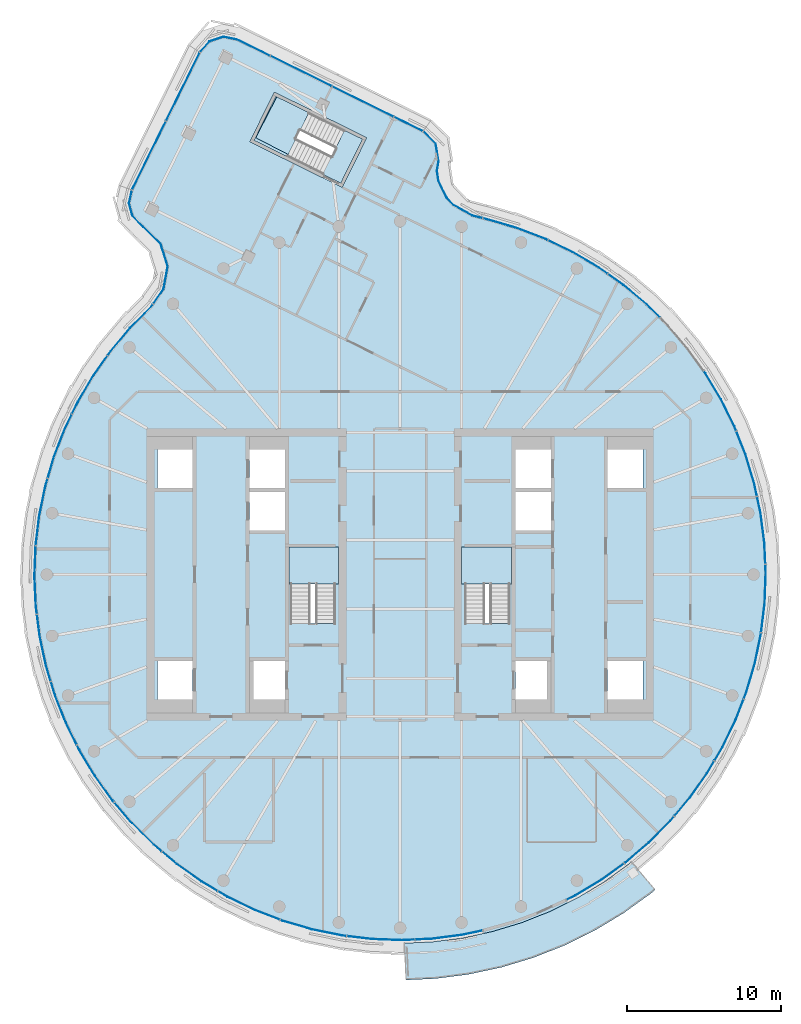
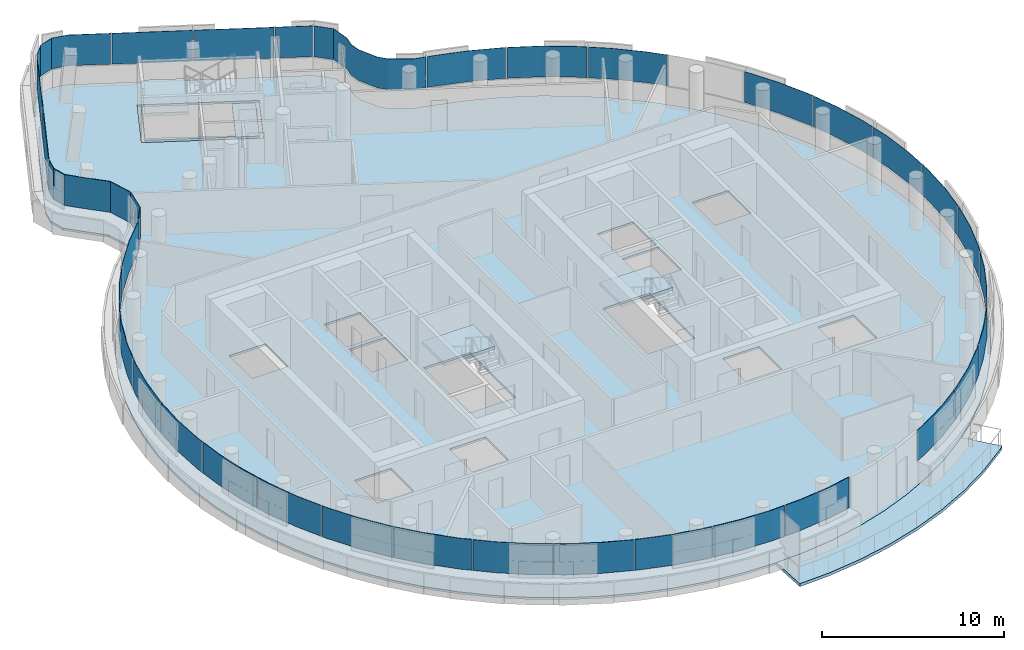
# One storey, part 12 of 21: 34 plates, 6 slabs, 6 elements without a shape of their own.
"""IFC4 building model written with IfcOpenShell, lengths in metres."""

from ifc_helpers import new_model, si_unit, direction, frame, origin, place, context, subcontext, project, spatial, polyline, outline, extrude, material, layer, layer_set, type_object, element, aggregate, save


model = new_model("IFC4")

# Units and contexts
model_context = context("Model", 3, precision=1e-05, world=origin(), true_north=direction((0.0, 1.0)))
body_context = subcontext(model_context, "Body", "Model", "MODEL_VIEW")
ifc_project = project(units=[si_unit("LENGTHUNIT", "METRE"), si_unit("AREAUNIT", "SQUARE_METRE"), si_unit("VOLUMEUNIT", "CUBIC_METRE"), si_unit("PLANEANGLEUNIT", "RADIAN"), si_unit("MASSUNIT", "GRAM", prefix="KILO")], contexts=[model_context])

# Site, building, storey
site_placement = place(None, origin())
site = spatial("IfcSite", under=ifc_project, at=site_placement, CompositionType="ELEMENT")
building_placement = place(site_placement, origin())
building = spatial("IfcBuilding", under=site, at=building_placement, Name="Tamarind Cross Interchange Tower", CompositionType="ELEMENT")
storey_placement = place(building_placement, frame((0.0, 0.0, 264.0)))
storey = spatial("IfcBuildingStorey", under=building, at=storey_placement, Name="L67", CompositionType="ELEMENT", Elevation=264.0)

# Slabs
ifc_material_1 = material(Name="Precast concrete C40", Category="concrete")
ifc_layer_1 = layer(ifc_material_1, 0.199951171875)
ifc_layer_set_1 = layer_set([ifc_layer_1], Name="Precast concrete C40")
slab_type_1 = type_object("IfcSlabType", Name="Balcony slab", PredefinedType="BASESLAB", material=ifc_layer_set_1)
slab_1_placement = place(storey_placement, frame((0.0, 0.0, -0.199951171875)))
element("IfcSlab", 1, at=slab_1_placement, inside=storey, type_object=slab_type_1, Name="SLB-L67-BAL01", PredefinedType="BASESLAB", context=body_context, shape_type="SweptSolid", body=[
    extrude(outline(polyline([(0.281982421875, -23.987548828125), (2.08447265625, -23.9052734375), (4.051513671875, -23.6513671875), (5.99072265625, -23.236083984375), (7.88916015625, -22.662109375), (9.733642578125, -21.93310546875), (11.511474609375, -21.054443359375), (13.2109375, -20.031982421875), (14.820068359375, -18.87255859375), (15.03076171875, -18.6923828125), (16.58984375, -20.51708984375), (16.303466796875, -20.76171875), (14.533203125, -22.037109375), (12.663818359375, -23.162109375), (10.7080078125, -24.128662109375), (8.6787109375, -24.9306640625), (6.59033203125, -25.56201171875), (4.45703125, -26.01904296875), (2.293212890625, -26.298095703125), (0.391357421875, -26.385009765625), (0.281982421875, -23.987548828125)])), origin(), (0.0, 0.0, 1.0), 0.199951171875),
])
ifc_material_2 = material(Name="Concrete C35", Category="concrete")
ifc_layer_2 = layer(ifc_material_2, 0.139892578125)
ifc_layer_set_2 = layer_set([ifc_layer_2], Name="Concrete C35")
slab_type_2 = type_object("IfcSlabType", Name="Composite slab 140 Concrete C35", PredefinedType="FLOOR", material=ifc_layer_set_2)
slab_2_placement = place(storey_placement, frame((0.0, 0.0, -0.139892578125)))
element("IfcSlab", 2, at=slab_2_placement, inside=storey, type_object=slab_type_2, Name="Floor slab L67", PredefinedType="FLOOR", context=body_context, shape_type="SweptSolid", body=[
    extrude(outline(polyline([(2.5009765625, 28.138916015625), (1.611083984375, 29.010986328125), (-10.525390625, 35.00048828125), (-11.540771484375, 35.202880859375), (-12.521240234375, 34.870361328125), (-13.2041015625, 34.09228515625), (-17.643310546875, 25.096923828125), (-17.849365234375, 24.162353515625), (-17.597412109375, 23.239013671875), (-16.857666015625, 22.48095703125), (-15.758056640625, 21.40478515625), (-15.332763671875, 20.0537109375), (-15.5859375, 18.659912109375), (-16.352294921875, 17.559814453125), (-17.72412109375, 16.17578125), (-18.99951171875, 14.656982421875), (-20.14501953125, 13.0380859375), (-21.15283203125, 11.329833984375), (-22.01611328125, 9.54443359375), (-22.72900390625, 7.693603515625), (-23.286865234375, 5.79052734375), (-23.685546875, 3.84765625), (-23.92236328125, 1.878662109375), (-23.99560546875, -0.103271484375), (-23.9052734375, -2.08447265625), (-23.651611328125, -4.051513671875), (-23.236083984375, -5.99072265625), (-22.662109375, -7.88916015625), (-21.93310546875, -9.7333984375), (-21.054443359375, -11.511474609375), (-20.031982421875, -13.2109375), (-18.87255859375, -14.820068359375), (-17.584228515625, -16.327880859375), (-16.17578125, -17.72412109375), (-14.656982421875, -18.99951171875), (-13.0380859375, -20.14501953125), (-11.329833984375, -21.15283203125), (-9.54443359375, -22.01611328125), (-7.693603515625, -22.72900390625), (-5.79052734375, -23.286865234375), (-3.84765625, -23.685546875), (-1.878662109375, -23.92236328125), (0.103271484375, -23.99560546875), (2.08447265625, -23.9052734375), (4.051513671875, -23.651611328125), (5.99072265625, -23.236083984375), (7.88916015625, -22.662109375), (9.7333984375, -21.93310546875), (11.511474609375, -21.054443359375), (13.2109375, -20.031982421875), (14.820068359375, -18.87255859375), (16.327880859375, -17.584228515625), (17.72412109375, -16.17578125), (18.99951171875, -14.656982421875), (20.14501953125, -13.0380859375), (21.15283203125, -11.329833984375), (22.01611328125, -9.54443359375), (22.72900390625, -7.693603515625), (23.286865234375, -5.79052734375), (23.685546875, -3.84765625), (23.92236328125, -1.878662109375), (23.99560546875, 0.103271484375), (23.9052734375, 2.08447265625), (23.651611328125, 4.051513671875), (23.236083984375, 5.99072265625), (22.662109375, 7.88916015625), (21.93310546875, 9.7333984375), (21.054443359375, 11.511474609375), (20.031982421875, 13.2109375), (18.87255859375, 14.820068359375), (17.584228515625, 16.327880859375), (16.17578125, 17.72412109375), (14.656982421875, 18.99951171875), (13.0380859375, 20.14501953125), (11.329833984375, 21.15283203125), (9.54443359375, 22.01611328125), (7.693603515625, 22.72900390625), (5.79052734375, 23.286865234375), (4.772705078125, 23.546630859375), (3.606689453125, 24.19970703125), (3.205810546875, 24.62451171875), (2.688232421875, 25.687744140625), (2.6015625, 26.265380859375), (2.701904296875, 26.909423828125), (2.5009765625, 28.138916015625)]), holes=[polyline([(-13.5, -5.625), (-13.5, -8.125), (-15.800048828125, -8.125), (-15.800048828125, -5.625), (-13.5, -5.625)]), polyline([(-7.5, -5.625), (-7.5, -8.125), (-9.800048828125, -8.125), (-9.800048828125, -5.625), (-7.5, -5.625)]), polyline([(-7.14990234375, 1.800048828125), (-4.199951171875, 1.800048828125), (-4.199951171875, -3.18798828125), (-7.14990234375, -3.18798828125), (-7.14990234375, 1.800048828125)]), polyline([(-7.5, 5.375), (-7.5, 2.875), (-9.800048828125, 2.875), (-9.800048828125, 5.375), (-7.5, 5.375)]), polyline([(-13.5, 8.125), (-13.5, 5.625), (-15.800048828125, 5.625), (-15.800048828125, 8.125), (-13.5, 8.125)]), polyline([(-7.5, 8.125), (-7.5, 5.625), (-9.800048828125, 5.625), (-9.800048828125, 8.125), (-7.5, 8.125)]), polyline([(-7.67236328125, 31.13916015625), (-2.18017578125, 28.4287109375), (-2.2685546875, 28.249267578125), (-3.684814453125, 25.379638671875), (-3.773193359375, 25.200439453125), (-9.781494140625, 28.16552734375), (-9.69287109375, 28.344970703125), (-8.276611328125, 31.21435546875), (-8.188232421875, 31.393798828125), (-7.93212890625, 31.267333984375), (-7.9296875, 31.27197265625), (-7.67236328125, 31.13916015625)]), polyline([(7.5, -8.125), (7.5, -5.625), (9.800048828125, -5.625), (9.800048828125, -8.125), (7.5, -8.125)]), polyline([(13.5, -8.125), (13.5, -5.625), (15.800048828125, -5.625), (15.800048828125, -8.125), (13.5, -8.125)]), polyline([(4.199951171875, 1.800048828125), (7.14990234375, 1.800048828125), (7.14990234375, -3.18798828125), (4.199951171875, -3.18798828125), (4.199951171875, 1.800048828125)]), polyline([(7.5, 2.875), (7.5, 5.375), (9.800048828125, 5.375), (9.800048828125, 2.875), (7.5, 2.875)]), polyline([(7.5, 5.625), (7.5, 8.125), (9.800048828125, 8.125), (9.800048828125, 5.625), (7.5, 5.625)]), polyline([(13.5, 5.625), (13.5, 8.125), (15.800048828125, 8.125), (15.800048828125, 5.625), (13.5, 5.625)])]), origin(), (0.0, 0.0, 1.0), 0.139892578125),
])
slab_3_placement = place(storey_placement, frame((0.0, 0.0, -0.139892578125)))
element("IfcSlab", 3, at=slab_3_placement, inside=storey, type_object=slab_type_2, Name="Floor slab L67", PredefinedType="FLOOR", context=body_context, shape_type="SweptSolid", body=[
    extrude(outline(polyline([(-3.864013671875, 25.46826171875), (-2.447998046875, 28.337890625), (-3.55029296875, 28.8818359375), (-3.62451171875, 28.91845703125), (-4.989501953125, 26.15234375), (-9.39794921875, 28.4287109375), (-8.02392578125, 31.089599609375), (-8.097412109375, 31.1259765625), (-9.513671875, 28.25634765625), (-3.864013671875, 25.46826171875)])), origin(), (0.0, 0.0, 1.0), 0.139892578125),
])

# Stair, slab
ifc_material_3 = material(Name="Exit stair")
stair_type = type_object("IfcStairType", Name="Exit stair", PredefinedType="HALF_TURN_STAIR", material=ifc_material_3)
stair_1_placement = place(storey_placement, origin())
stair_1 = element("IfcStair", 4, at=stair_1_placement, inside=storey, type_object=stair_type, Name="L67 exit stair ST1", PredefinedType="HALF_TURN_STAIR")
ifc_material_4 = material(Name="Concrete C40", Category="concrete")
ifc_layer_3 = layer(ifc_material_4, 0.199951171875)
ifc_layer_set_3 = layer_set([ifc_layer_3], Name="Concrete C40")
slab_type_3 = type_object("IfcSlabType", Name="Stair landing", PredefinedType="LANDING", material=ifc_layer_set_3)
slab_4_placement = place(storey_placement, frame((0.0, 0.0, 1.60009765625)))
slab_4 = element("IfcSlab", 5, at=slab_4_placement, type_object=slab_type_3, Name="ST1 landing 1", PredefinedType="LANDING", context=body_context, shape_type="SweptSolid", body=[
    extrude(outline(polyline([(-4.0, -0.60009765625), (-4.0, 1.800048828125), (-7.25, 1.800048828125), (-7.25, -0.60009765625), (-4.0, -0.60009765625)])), origin(), (0.0, 0.0, 1.0), 0.199951171875),
])
aggregate(stair_1, [slab_4])

stair_2_placement = place(storey_placement, origin())
stair_2 = element("IfcStair", 6, at=stair_2_placement, inside=storey, type_object=stair_type, Name="L67 exit stair ST2", PredefinedType="HALF_TURN_STAIR")
slab_5_placement = place(storey_placement, frame((0.0, 0.0, 1.60009765625)))
slab_5 = element("IfcSlab", 7, at=slab_5_placement, type_object=slab_type_3, Name="ST2 landing 1", PredefinedType="LANDING", context=body_context, shape_type="SweptSolid", body=[
    extrude(outline(polyline([(7.25, -0.60009765625), (7.25, 1.800048828125), (4.0, 1.800048828125), (4.0, -0.60009765625), (7.25, -0.60009765625)])), origin(), (0.0, 0.0, 1.0), 0.199951171875),
])
aggregate(stair_2, [slab_5])

stair_3_placement = place(storey_placement, origin())
stair_3 = element("IfcStair", 8, at=stair_3_placement, inside=storey, type_object=stair_type, Name="L67 exit stair ST4", PredefinedType="HALF_TURN_STAIR")
slab_6_placement = place(storey_placement, frame((0.0, 0.0, 1.60009765625)))
slab_6 = element("IfcSlab", 9, at=slab_6_placement, type_object=slab_type_3, Name="ST4 landing 1", PredefinedType="LANDING", context=body_context, shape_type="SweptSolid", body=[
    extrude(outline(polyline([(-5.9345703125, 30.058349609375), (-8.097412109375, 31.1259765625), (-9.513671875, 28.25634765625), (-7.3505859375, 27.18896484375), (-5.9345703125, 30.058349609375)])), origin(), (0.0, 0.0, 1.0), 0.199951171875),
])
aggregate(stair_3, [slab_6])

# Curtain wall, plates
ifc_material_5 = material(Name="Aluminium 6063-T6", Category="aluminium")
ifc_layer_4 = layer(ifc_material_5, 0.139892578125)
ifc_layer_set_4 = layer_set([ifc_layer_4], Name="Aluminium 6063-T6")
curtain_wall_type = type_object("IfcCurtainWallType", Name="Hotel curtain wall, 4.5 m bays", PredefinedType="NOTDEFINED", material=ifc_layer_set_4)
curtain_wall_1_placement = place(storey_placement, origin())
curtain_wall_1 = element("IfcCurtainWall", 10, at=curtain_wall_1_placement, inside=storey, type_object=curtain_wall_type, Name="CWS-L67-00", PredefinedType="NOTDEFINED")
ifc_material_6 = material(Name="Laminated low-e glass 6+1.52+6", Category="glass")
ifc_layer_5 = layer(ifc_material_6, 0.02392578125)
ifc_layer_set_5 = layer_set([ifc_layer_5], Name="Laminated low-e glass 6+1.52+6")
plate_type = type_object("IfcPlateType", Name="Vision panel CW2", PredefinedType="CURTAIN_PANEL", material=ifc_layer_set_5)
plate_1_placement = place(storey_placement, frame((0.0, 0.0, 1.39990234375)))
plate_1 = element("IfcPlate", 11, at=plate_1_placement, type_object=plate_type, Name="CWP-L67-00-00", PredefinedType="CURTAIN_PANEL", context=body_context, shape_type="SweptSolid", body=[
    extrude(outline(polyline([(-13.038818359375, 33.94775390625), (-15.220703125, 29.526611328125), (-15.2421875, 29.537353515625), (-13.060302734375, 33.95849609375), (-13.038818359375, 33.94775390625)])), origin(), (0.0, 0.0, 1.0), 2.06005859375),
])
plate_2_placement = place(storey_placement, frame((0.0, 0.0, 1.39990234375)))
plate_2 = element("IfcPlate", 12, at=plate_2_placement, type_object=plate_type, Name="CWP-L67-00-01", PredefinedType="CURTAIN_PANEL", context=body_context, shape_type="SweptSolid", body=[
    extrude(outline(polyline([(-15.247314453125, 29.472900390625), (-17.42919921875, 25.0517578125), (-17.45068359375, 25.062255859375), (-15.268798828125, 29.4833984375), (-15.247314453125, 29.472900390625)])), origin(), (0.0, 0.0, 1.0), 2.06005859375),
])
aggregate(curtain_wall_1, [plate_1, plate_2])

curtain_wall_2_placement = place(storey_placement, origin())
curtain_wall_2 = element("IfcCurtainWall", 13, at=curtain_wall_2_placement, inside=storey, type_object=curtain_wall_type, Name="CWS-L67-01", PredefinedType="NOTDEFINED")
plate_3_placement = place(storey_placement, frame((0.0, 0.0, 1.39990234375)))
plate_3 = element("IfcPlate", 14, at=plate_3_placement, type_object=plate_type, Name="CWP-L67-01-00", PredefinedType="CURTAIN_PANEL", context=body_context, shape_type="SweptSolid", body=[
    extrude(outline(polyline([(-17.447998046875, 24.998291015625), (-17.631103515625, 24.167724609375), (-17.4072265625, 23.34765625), (-16.70751953125, 22.630859375), (-15.57177734375, 21.519287109375), (-15.11474609375, 20.0673828125), (-15.3857421875, 18.576416015625), (-16.048583984375, 17.624755859375), (-16.068359375, 17.638427734375), (-15.408447265625, 18.5859375), (-15.139404296875, 20.065673828125), (-15.593017578125, 21.50634765625), (-16.724609375, 22.61376953125), (-17.4287109375, 23.33544921875), (-17.65576171875, 24.1669921875), (-17.471435546875, 25.00341796875), (-17.447998046875, 24.998291015625)])), origin(), (0.0, 0.0, 1.0), 2.06005859375),
])
plate_4_placement = place(storey_placement, frame((0.0, 0.0, 1.39990234375)))
plate_4 = element("IfcPlate", 15, at=plate_4_placement, type_object=plate_type, Name="CWP-L67-01-01", PredefinedType="CURTAIN_PANEL", context=body_context, shape_type="SweptSolid", body=[
    extrude(outline(polyline([(-16.0830078125, 17.575439453125), (-16.188720703125, 17.423828125), (-17.5673828125, 16.032958984375), (-18.83154296875, 14.52734375), (-19.022216796875, 14.257568359375), (-19.041748046875, 14.271484375), (-18.850341796875, 14.5419921875), (-17.585205078125, 16.049072265625), (-16.207275390625, 17.439208984375), (-16.102783203125, 17.589111328125), (-16.0830078125, 17.575439453125)])), origin(), (0.0, 0.0, 1.0), 2.06005859375),
])
plate_5_placement = place(storey_placement, frame((0.0, 0.0, 1.39990234375)))
plate_5 = element("IfcPlate", 16, at=plate_5_placement, type_object=plate_type, Name="CWP-L67-01-02", PredefinedType="CURTAIN_PANEL", context=body_context, shape_type="SweptSolid", body=[
    extrude(outline(polyline([(-19.056884765625, 14.208740234375), (-19.966796875, 12.922607421875), (-20.9658203125, 11.229736328125), (-21.341796875, 10.45166015625), (-21.363525390625, 10.462158203125), (-20.98681640625, 11.240966796875), (-19.987060546875, 12.935791015625), (-19.076416015625, 14.22265625), (-19.056884765625, 14.208740234375)])), origin(), (0.0, 0.0, 1.0), 2.06005859375),
])
plate_6_placement = place(storey_placement, frame((0.0, 0.0, 1.39990234375)))
plate_6 = element("IfcPlate", 17, at=plate_6_placement, type_object=plate_type, Name="CWP-L67-01-03", PredefinedType="CURTAIN_PANEL", context=body_context, shape_type="SweptSolid", body=[
    extrude(outline(polyline([(-21.367919921875, 10.397705078125), (-21.821533203125, 9.4599609375), (-22.528076171875, 7.625732421875), (-22.921142578125, 6.2841796875), (-22.9443359375, 6.291015625), (-22.55078125, 7.63330078125), (-21.843505859375, 9.469482421875), (-21.3896484375, 10.408203125), (-21.367919921875, 10.397705078125)])), origin(), (0.0, 0.0, 1.0), 2.06005859375),
])
plate_7_placement = place(storey_placement, frame((0.0, 0.0, 1.39990234375)))
plate_7 = element("IfcPlate", 18, at=plate_7_placement, type_object=plate_type, Name="CWP-L67-01-04", PredefinedType="CURTAIN_PANEL", context=body_context, shape_type="SweptSolid", body=[
    extrude(outline(polyline([(-22.93798828125, 6.2265625), (-23.080810546875, 5.7392578125), (-23.47607421875, 3.813720703125), (-23.706787109375, 1.89599609375), (-23.73046875, 1.89892578125), (-23.499755859375, 3.817626953125), (-23.104248046875, 5.7451171875), (-22.961181640625, 6.2333984375), (-22.93798828125, 6.2265625)])), origin(), (0.0, 0.0, 1.0), 2.06005859375),
])
plate_8_placement = place(storey_placement, frame((0.0, 0.0, 1.39990234375)))
plate_8 = element("IfcPlate", 19, at=plate_8_placement, type_object=plate_type, Name="CWP-L67-01-05", PredefinedType="CURTAIN_PANEL", context=body_context, shape_type="SweptSolid", body=[
    extrude(outline(polyline([(-23.711669921875, 1.83740234375), (-23.783447265625, -0.102294921875), (-23.69384765625, -2.06591796875), (-23.630126953125, -2.559814453125), (-23.654052734375, -2.56298828125), (-23.7177734375, -2.068115234375), (-23.8076171875, -0.1025390625), (-23.735595703125, 1.838134765625), (-23.711669921875, 1.83740234375)])), origin(), (0.0, 0.0, 1.0), 2.06005859375),
])
plate_9_placement = place(storey_placement, frame((0.0, 0.0, 1.39990234375)))
plate_9 = element("IfcPlate", 20, at=plate_9_placement, type_object=plate_type, Name="CWP-L67-01-06", PredefinedType="CURTAIN_PANEL", context=body_context, shape_type="SweptSolid", body=[
    extrude(outline(polyline([(-23.62255859375, -2.619384765625), (-23.4423828125, -4.015625), (-23.03076171875, -5.937744140625), (-22.73193359375, -6.92529296875), (-22.7548828125, -6.93212890625), (-23.053955078125, -5.94384765625), (-23.466064453125, -4.019775390625), (-23.646240234375, -2.62255859375), (-23.62255859375, -2.619384765625)])), origin(), (0.0, 0.0, 1.0), 2.06005859375),
])
plate_10_placement = place(storey_placement, frame((0.0, 0.0, 1.39990234375)))
plate_10 = element("IfcPlate", 21, at=plate_10_placement, type_object=plate_type, Name="CWP-L67-01-07", PredefinedType="CURTAIN_PANEL", context=body_context, shape_type="SweptSolid", body=[
    extrude(outline(polyline([(-22.714599609375, -6.982666015625), (-22.461669921875, -7.8193359375), (-21.7392578125, -9.6474609375), (-21.045654296875, -11.051025390625), (-21.067138671875, -11.0615234375), (-21.76123046875, -9.6572265625), (-22.484375, -7.8271484375), (-22.737548828125, -6.98974609375), (-22.714599609375, -6.982666015625)])), origin(), (0.0, 0.0, 1.0), 2.06005859375),
])
plate_11_placement = place(storey_placement, frame((0.0, 0.0, 1.39990234375)))
plate_11 = element("IfcPlate", 22, at=plate_11_placement, type_object=plate_type, Name="CWP-L67-01-08", PredefinedType="CURTAIN_PANEL", context=body_context, shape_type="SweptSolid", body=[
    extrude(outline(polyline([(-21.01904296875, -11.104736328125), (-20.868408203125, -11.40966796875), (-19.854736328125, -13.093994140625), (-18.705810546875, -14.68896484375), (-18.6201171875, -14.7890625), (-18.63818359375, -14.8046875), (-18.724609375, -14.703857421875), (-19.874755859375, -13.107177734375), (-20.889404296875, -11.421142578125), (-21.04052734375, -11.115234375), (-21.01904296875, -11.104736328125)])), origin(), (0.0, 0.0, 1.0), 2.06005859375),
])
plate_12_placement = place(storey_placement, frame((0.0, 0.0, 1.39990234375)))
plate_12 = element("IfcPlate", 23, at=plate_12_placement, type_object=plate_type, Name="CWP-L67-01-09", PredefinedType="CURTAIN_PANEL", context=body_context, shape_type="SweptSolid", body=[
    extrude(outline(polyline([(-18.5810546875, -14.834716796875), (-17.4287109375, -16.183349609375), (-16.032958984375, -17.5673828125), (-15.523193359375, -17.995361328125), (-15.53857421875, -18.013671875), (-16.049072265625, -17.585205078125), (-17.4462890625, -16.19970703125), (-18.599365234375, -14.850341796875), (-18.5810546875, -14.834716796875)])), origin(), (0.0, 0.0, 1.0), 2.06005859375),
])
plate_13_placement = place(storey_placement, frame((0.0, 0.0, 1.39990234375)))
plate_13 = element("IfcPlate", 24, at=plate_13_placement, type_object=plate_type, Name="CWP-L67-01-10", PredefinedType="CURTAIN_PANEL", context=body_context, shape_type="SweptSolid", body=[
    extrude(outline(polyline([(-15.477294921875, -18.033935546875), (-14.52734375, -18.83154296875), (-12.922607421875, -19.966796875), (-11.8896484375, -20.576171875), (-11.90185546875, -20.596923828125), (-12.935791015625, -19.987060546875), (-14.5419921875, -18.850341796875), (-15.49267578125, -18.05224609375), (-15.477294921875, -18.033935546875)])), origin(), (0.0, 0.0, 1.0), 2.06005859375),
])
plate_14_placement = place(storey_placement, frame((0.0, 0.0, 1.39990234375)))
plate_14 = element("IfcPlate", 25, at=plate_14_placement, type_object=plate_type, Name="CWP-L67-01-11", PredefinedType="CURTAIN_PANEL", context=body_context, shape_type="SweptSolid", body=[
    extrude(outline(polyline([(-11.838134765625, -20.606689453125), (-11.229736328125, -20.9658203125), (-9.4599609375, -21.821533203125), (-7.8427734375, -22.444580078125), (-7.8515625, -22.466796875), (-9.469482421875, -21.843505859375), (-11.240966796875, -20.98681640625), (-11.850341796875, -20.62744140625), (-11.838134765625, -20.606689453125)])), origin(), (0.0, 0.0, 1.0), 2.06005859375),
])
plate_15_placement = place(storey_placement, frame((0.0, 0.0, 1.39990234375)))
plate_15 = element("IfcPlate", 26, at=plate_15_placement, type_object=plate_type, Name="CWP-L67-01-12", PredefinedType="CURTAIN_PANEL", context=body_context, shape_type="SweptSolid", body=[
    extrude(outline(polyline([(-7.786865234375, -22.466064453125), (-7.625732421875, -22.528076171875), (-5.7392578125, -23.080810546875), (-3.813720703125, -23.47607421875), (-3.516357421875, -23.51171875), (-3.519287109375, -23.53564453125), (-3.817626953125, -23.499755859375), (-5.7451171875, -23.104248046875), (-7.63330078125, -22.55078125), (-7.79541015625, -22.488525390625), (-7.786865234375, -22.466064453125)])), origin(), (0.0, 0.0, 1.0), 2.06005859375),
])
plate_16_placement = place(storey_placement, frame((0.0, 0.0, 1.39990234375)))
plate_16 = element("IfcPlate", 27, at=plate_16_placement, type_object=plate_type, Name="CWP-L67-01-13", PredefinedType="CURTAIN_PANEL", context=body_context, shape_type="SweptSolid", body=[
    extrude(outline(polyline([(-3.456787109375, -23.51904296875), (-1.862060546875, -23.710693359375), (0.102294921875, -23.783447265625), (0.9345703125, -23.74560546875), (0.935546875, -23.76953125), (0.1025390625, -23.8076171875), (-1.864013671875, -23.734619140625), (-3.459716796875, -23.542724609375), (-3.456787109375, -23.51904296875)])), origin(), (0.0, 0.0, 1.0), 2.06005859375),
])
plate_17_placement = place(storey_placement, frame((0.0, 0.0, 1.39990234375)))
plate_17 = element("IfcPlate", 28, at=plate_17_placement, type_object=plate_type, Name="CWP-L67-01-14", PredefinedType="CURTAIN_PANEL", context=body_context, shape_type="SweptSolid", body=[
    extrude(outline(polyline([(0.994384765625, -23.742919921875), (2.06591796875, -23.69384765625), (4.015625, -23.4423828125), (5.352294921875, -23.156005859375), (5.357177734375, -23.179443359375), (4.019775390625, -23.466064453125), (2.068115234375, -23.7177734375), (0.99560546875, -23.766845703125), (0.994384765625, -23.742919921875)])), origin(), (0.0, 0.0, 1.0), 2.06005859375),
])
plate_18_placement = place(storey_placement, frame((0.0, 0.0, 1.39990234375)))
plate_18 = element("IfcPlate", 29, at=plate_18_placement, type_object=plate_type, Name="CWP-L67-01-16", PredefinedType="CURTAIN_PANEL", context=body_context, shape_type="SweptSolid", body=[
    extrude(outline(polyline([(10.832763671875, -21.153564453125), (11.40966796875, -20.868408203125), (13.093994140625, -19.854736328125), (14.551025390625, -18.80517578125), (14.56494140625, -18.824462890625), (13.107177734375, -19.874755859375), (11.421142578125, -20.889404296875), (10.84326171875, -21.175048828125), (10.832763671875, -21.153564453125)])), origin(), (0.0, 0.0, 1.0), 2.06005859375),
])
plate_19_placement = place(storey_placement, frame((0.0, 0.0, 1.39990234375)))
plate_19 = element("IfcPlate", 30, at=plate_19_placement, type_object=plate_type, Name="CWP-L67-01-17", PredefinedType="CURTAIN_PANEL", context=body_context, shape_type="SweptSolid", body=[
    extrude(outline(polyline([(14.599609375, -18.77001953125), (14.68896484375, -18.705810546875), (16.183349609375, -17.4287109375), (17.5673828125, -16.032958984375), (17.80029296875, -15.75537109375), (17.818603515625, -15.77099609375), (17.585205078125, -16.049072265625), (16.19970703125, -17.4462890625), (14.703857421875, -18.724609375), (14.61376953125, -18.78955078125), (14.599609375, -18.77001953125)])), origin(), (0.0, 0.0, 1.0), 2.06005859375),
])
plate_20_placement = place(storey_placement, frame((0.0, 0.0, 1.39990234375)))
plate_20 = element("IfcPlate", 31, at=plate_20_placement, type_object=plate_type, Name="CWP-L67-01-18", PredefinedType="CURTAIN_PANEL", context=body_context, shape_type="SweptSolid", body=[
    extrude(outline(polyline([(17.8388671875, -15.70947265625), (18.83154296875, -14.52734375), (19.966796875, -12.922607421875), (20.422119140625, -12.151123046875), (20.44287109375, -12.163330078125), (19.987060546875, -12.935791015625), (18.850341796875, -14.5419921875), (17.857177734375, -15.724853515625), (17.8388671875, -15.70947265625)])), origin(), (0.0, 0.0, 1.0), 2.06005859375),
])
plate_21_placement = place(storey_placement, frame((0.0, 0.0, 1.39990234375)))
plate_21 = element("IfcPlate", 32, at=plate_21_placement, type_object=plate_type, Name="CWP-L67-01-19", PredefinedType="CURTAIN_PANEL", context=body_context, shape_type="SweptSolid", body=[
    extrude(outline(polyline([(20.45263671875, -12.099365234375), (20.9658203125, -11.229736328125), (21.821533203125, -9.4599609375), (22.33544921875, -8.1259765625), (22.35791015625, -8.134521484375), (21.843505859375, -9.469482421875), (20.98681640625, -11.240966796875), (20.47314453125, -12.111572265625), (20.45263671875, -12.099365234375)])), origin(), (0.0, 0.0, 1.0), 2.06005859375),
])
plate_22_placement = place(storey_placement, frame((0.0, 0.0, 1.39990234375)))
plate_22 = element("IfcPlate", 33, at=plate_22_placement, type_object=plate_type, Name="CWP-L67-01-20", PredefinedType="CURTAIN_PANEL", context=body_context, shape_type="SweptSolid", body=[
    extrude(outline(polyline([(22.35693359375, -8.070068359375), (22.528076171875, -7.625732421875), (23.080810546875, -5.7392578125), (23.475341796875, -3.81640625), (23.4990234375, -3.8212890625), (23.104248046875, -5.7451171875), (22.55078125, -7.63330078125), (22.37939453125, -8.07861328125), (22.35693359375, -8.070068359375)])), origin(), (0.0, 0.0, 1.0), 2.06005859375),
])
plate_23_placement = place(storey_placement, frame((0.0, 0.0, 1.39990234375)))
plate_23 = element("IfcPlate", 34, at=plate_23_placement, type_object=plate_type, Name="CWP-L67-01-21", PredefinedType="CURTAIN_PANEL", context=body_context, shape_type="SweptSolid", body=[
    extrude(outline(polyline([(23.482666015625, -3.7578125), (23.710693359375, -1.862060546875), (23.783447265625, 0.102294921875), (23.75927734375, 0.631591796875), (23.783447265625, 0.632568359375), (23.8076171875, 0.1025390625), (23.734619140625, -1.864013671875), (23.506591796875, -3.7607421875), (23.482666015625, -3.7578125)])), origin(), (0.0, 0.0, 1.0), 2.06005859375),
])
plate_24_placement = place(storey_placement, frame((0.0, 0.0, 1.39990234375)))
plate_24 = element("IfcPlate", 35, at=plate_24_placement, type_object=plate_type, Name="CWP-L67-01-22", PredefinedType="CURTAIN_PANEL", context=body_context, shape_type="SweptSolid", body=[
    extrude(outline(polyline([(23.756591796875, 0.69140625), (23.69384765625, 2.06591796875), (23.4423828125, 4.015625), (23.219482421875, 5.0556640625), (23.2431640625, 5.060546875), (23.466064453125, 4.019775390625), (23.7177734375, 2.068115234375), (23.780517578125, 0.692626953125), (23.756591796875, 0.69140625)])), origin(), (0.0, 0.0, 1.0), 2.06005859375),
])
plate_25_placement = place(storey_placement, frame((0.0, 0.0, 1.39990234375)))
plate_25 = element("IfcPlate", 36, at=plate_25_placement, type_object=plate_type, Name="CWP-L67-01-23", PredefinedType="CURTAIN_PANEL", context=body_context, shape_type="SweptSolid", body=[
    extrude(outline(polyline([(23.20703125, 5.1142578125), (23.03076171875, 5.937744140625), (22.461669921875, 7.8193359375), (21.874755859375, 9.3046875), (21.89697265625, 9.313720703125), (22.484375, 7.8271484375), (23.053955078125, 5.94384765625), (23.23046875, 5.119384765625), (23.20703125, 5.1142578125)])), origin(), (0.0, 0.0, 1.0), 2.06005859375),
])
plate_26_placement = place(storey_placement, frame((0.0, 0.0, 1.39990234375)))
plate_26 = element("IfcPlate", 37, at=plate_26_placement, type_object=plate_type, Name="CWP-L67-01-24", PredefinedType="CURTAIN_PANEL", context=body_context, shape_type="SweptSolid", body=[
    extrude(outline(polyline([(21.8525390625, 9.360595703125), (21.7392578125, 9.6474609375), (20.868408203125, 11.40966796875), (19.854736328125, 13.093994140625), (19.759033203125, 13.226806640625), (19.778564453125, 13.240966796875), (19.874755859375, 13.107177734375), (20.889404296875, 11.421142578125), (21.76123046875, 9.6572265625), (21.875, 9.369384765625), (21.8525390625, 9.360595703125)])), origin(), (0.0, 0.0, 1.0), 2.06005859375),
])
plate_27_placement = place(storey_placement, frame((0.0, 0.0, 1.39990234375)))
plate_27 = element("IfcPlate", 38, at=plate_27_placement, type_object=plate_type, Name="CWP-L67-01-26", PredefinedType="CURTAIN_PANEL", context=body_context, shape_type="SweptSolid", body=[
    extrude(outline(polyline([(16.89111328125, 16.716552734375), (16.032958984375, 17.5673828125), (14.52734375, 18.83154296875), (13.5224609375, 19.54248046875), (13.536376953125, 19.56201171875), (14.5419921875, 18.850341796875), (16.049072265625, 17.585205078125), (16.907958984375, 16.733642578125), (16.89111328125, 16.716552734375)])), origin(), (0.0, 0.0, 1.0), 2.06005859375),
])
plate_28_placement = place(storey_placement, frame((0.0, 0.0, 1.39990234375)))
plate_28 = element("IfcPlate", 39, at=plate_28_placement, type_object=plate_type, Name="CWP-L67-01-27", PredefinedType="CURTAIN_PANEL", context=body_context, shape_type="SweptSolid", body=[
    extrude(outline(polyline([(13.473388671875, 19.5771484375), (12.922607421875, 19.966796875), (11.229736328125, 20.9658203125), (9.640869140625, 21.73388671875), (9.6513671875, 21.755615234375), (11.240966796875, 20.98681640625), (12.935791015625, 19.987060546875), (13.4873046875, 19.5966796875), (13.473388671875, 19.5771484375)])), origin(), (0.0, 0.0, 1.0), 2.06005859375),
])
plate_29_placement = place(storey_placement, frame((0.0, 0.0, 1.39990234375)))
plate_29 = element("IfcPlate", 40, at=plate_29_placement, type_object=plate_type, Name="CWP-L67-01-28", PredefinedType="CURTAIN_PANEL", context=body_context, shape_type="SweptSolid", body=[
    extrude(outline(polyline([(9.5869140625, 21.760009765625), (9.4599609375, 21.821533203125), (7.625732421875, 22.528076171875), (5.734375, 23.082275390625), (5.40234375, 23.167236328125), (5.408203125, 23.1904296875), (5.74072265625, 23.10546875), (7.63330078125, 22.55078125), (9.469482421875, 21.843505859375), (9.597412109375, 21.78173828125), (9.5869140625, 21.760009765625)])), origin(), (0.0, 0.0, 1.0), 2.06005859375),
])
plate_30_placement = place(storey_placement, frame((0.0, 0.0, 1.39990234375)))
plate_30 = element("IfcPlate", 41, at=plate_30_placement, type_object=plate_type, Name="CWP-L67-01-29", PredefinedType="CURTAIN_PANEL", context=body_context, shape_type="SweptSolid", body=[
    extrude(outline(polyline([(5.34423828125, 23.181884765625), (4.693359375, 23.34814453125), (3.474853515625, 24.030517578125), (3.029296875, 24.50244140625), (2.4833984375, 25.6240234375), (2.38720703125, 26.26611328125), (2.4873046875, 26.90869140625), (2.302978515625, 28.0361328125), (1.5068359375, 28.816162109375), (1.523681640625, 28.833251953125), (2.325439453125, 28.0478515625), (2.51171875, 26.90869140625), (2.411376953125, 26.265869140625), (2.506591796875, 25.63134765625), (3.04931640625, 24.516357421875), (3.48974609375, 24.049560546875), (4.702392578125, 23.37060546875), (5.35009765625, 23.205322265625), (5.34423828125, 23.181884765625)])), origin(), (0.0, 0.0, 1.0), 2.06005859375),
])
aggregate(curtain_wall_2, [plate_3, plate_4, plate_5, plate_6, plate_7, plate_8, plate_9, plate_10, plate_11, plate_12, plate_13, plate_14, plate_15, plate_16, plate_17, plate_18, plate_19, plate_20, plate_21, plate_22, plate_23, plate_24, plate_25, plate_26, plate_27, plate_28, plate_29, plate_30])

curtain_wall_3_placement = place(storey_placement, origin())
curtain_wall_3 = element("IfcCurtainWall", 42, at=curtain_wall_3_placement, inside=storey, type_object=curtain_wall_type, Name="CWS-L67-02", PredefinedType="NOTDEFINED")
plate_31_placement = place(storey_placement, frame((0.0, 0.0, 1.39990234375)))
plate_31 = element("IfcPlate", 43, at=plate_31_placement, type_object=plate_type, Name="CWP-L67-02-00", PredefinedType="CURTAIN_PANEL", context=body_context, shape_type="SweptSolid", body=[
    extrude(outline(polyline([(1.461669921875, 28.848388671875), (-0.39697265625, 29.765625), (-0.386474609375, 29.787109375), (1.47216796875, 28.869873046875), (1.461669921875, 28.848388671875)])), origin(), (0.0, 0.0, 1.0), 2.06005859375),
])
plate_32_placement = place(storey_placement, frame((0.0, 0.0, 1.39990234375)))
plate_32 = element("IfcPlate", 44, at=plate_32_placement, type_object=plate_type, Name="CWP-L67-02-01", PredefinedType="CURTAIN_PANEL", context=body_context, shape_type="SweptSolid", body=[
    extrude(outline(polyline([(-0.450927734375, 29.792236328125), (-4.414794921875, 31.74853515625), (-4.404296875, 31.77001953125), (-0.440185546875, 29.813720703125), (-0.450927734375, 29.792236328125)])), origin(), (0.0, 0.0, 1.0), 2.06005859375),
])
plate_33_placement = place(storey_placement, frame((0.0, 0.0, 1.39990234375)))
plate_33 = element("IfcPlate", 45, at=plate_33_placement, type_object=plate_type, Name="CWP-L67-02-02", PredefinedType="CURTAIN_PANEL", context=body_context, shape_type="SweptSolid", body=[
    extrude(outline(polyline([(-4.46875, 31.775146484375), (-8.432861328125, 33.7314453125), (-8.42236328125, 33.7529296875), (-4.4580078125, 31.796630859375), (-4.46875, 31.775146484375)])), origin(), (0.0, 0.0, 1.0), 2.06005859375),
])
plate_34_placement = place(storey_placement, frame((0.0, 0.0, 1.39990234375)))
plate_34 = element("IfcPlate", 46, at=plate_34_placement, type_object=plate_type, Name="CWP-L67-02-03", PredefinedType="CURTAIN_PANEL", context=body_context, shape_type="SweptSolid", body=[
    extrude(outline(polyline([(-8.48681640625, 33.758056640625), (-10.59423828125, 34.798095703125), (-11.5263671875, 34.98388671875), (-12.3994140625, 34.687744140625), (-13.007568359375, 33.99462890625), (-13.025634765625, 34.010498046875), (-12.4130859375, 34.70849609375), (-11.528076171875, 35.008544921875), (-10.58642578125, 34.821044921875), (-8.47607421875, 33.779541015625), (-8.48681640625, 33.758056640625)])), origin(), (0.0, 0.0, 1.0), 2.06005859375),
])
aggregate(curtain_wall_3, [plate_31, plate_32, plate_33, plate_34])

save(model, "model.ifc")
